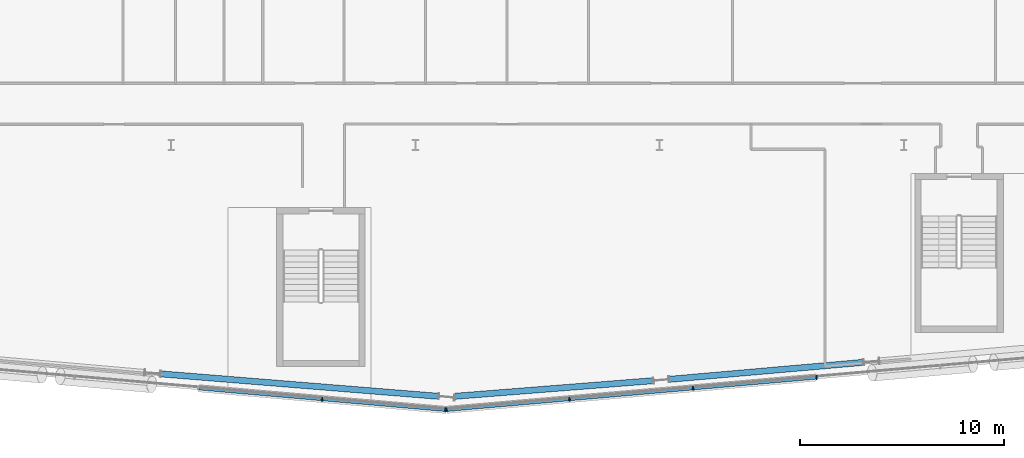
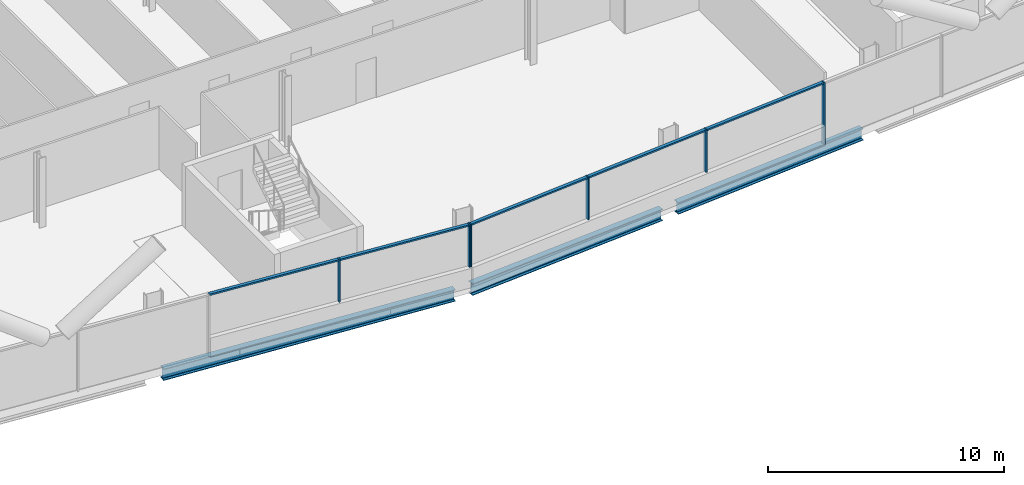
# One storey, part 7 of 27: 11 members, 3 beams, 2 elements without a shape of their own.
"""IFC4 building model written with IfcOpenShell, lengths in metres."""

from ifc_helpers import new_model, si_unit, direction, frame, origin, origin_2d, place, context, subcontext, project, spatial, rectangle, i_section, extrude, material, material_profile, profile_set, type_object, element, aggregate, save


model = new_model("IFC4")

# Units and contexts
model_context = context("Model", 3, precision=1e-05, world=origin(), true_north=direction((0.0, 1.0)))
body_context = subcontext(model_context, "Body", "Model", "MODEL_VIEW")
ifc_project = project(units=[si_unit("LENGTHUNIT", "METRE"), si_unit("AREAUNIT", "SQUARE_METRE"), si_unit("VOLUMEUNIT", "CUBIC_METRE"), si_unit("PLANEANGLEUNIT", "RADIAN"), si_unit("MASSUNIT", "GRAM", prefix="KILO")], contexts=[model_context])

# Site, building, storey
site_placement = place(None, origin())
site = spatial("IfcSite", under=ifc_project, at=site_placement, CompositionType="ELEMENT")
building_placement = place(site_placement, origin())
building = spatial("IfcBuilding", under=site, at=building_placement, Name="Wharfspan Tower", CompositionType="ELEMENT")
storey_placement = place(building_placement, frame((0.0, 0.0, 139.899902)))
storey = spatial("IfcBuildingStorey", under=building, at=storey_placement, Name="L33", CompositionType="ELEMENT", Elevation=139.899902)

# Beams
ifc_material_1 = material(Name="Steel S355J2", Category="steel")
ifc_material_profile_1 = material_profile(ifc_material_1, i_section(OverallWidth=0.300049, OverallDepth=0.600098, WebThickness=0.015381, FlangeThickness=0.030029, FilletRadius=0.0271, at=origin_2d()))
ifc_profile_set_1 = profile_set([ifc_material_profile_1], Name="Steel S355J2")
beam_type = type_object("IfcBeamType", Name="Edge beam HEB 600", PredefinedType="SPANDREL", material=ifc_profile_set_1)
beam_1_placement = place(storey_placement, frame((35.490967, 0.252197, -0.699951), z_axis=(0.996756, -0.080488, 0.0), x_axis=(0.080488, 0.996756, 0.0)))
element("IfcBeam", 1, at=beam_1_placement, inside=storey, type_object=beam_type, Name="Edge beam S1 L33 PS1.3 to PS1.4", PredefinedType="SPANDREL", context=body_context, shape_type="SweptSolid", body=[
    extrude(i_section(OverallWidth=0.300049, OverallDepth=0.600098, WebThickness=0.015381, FlangeThickness=0.030029, FilletRadius=0.0271, at=origin_2d()), origin(), (0.0, 0.0, 1.0), 13.683105),
])
beam_2_placement = place(storey_placement, frame((49.938721, -0.849365, -0.699951), z_axis=(0.996913, 0.078508, 0.0), x_axis=(-0.078508, 0.996913, 0.0)))
element("IfcBeam", 2, at=beam_2_placement, inside=storey, type_object=beam_type, Name="Edge beam S2 L33 PS1.4 to PS2.1", PredefinedType="SPANDREL", context=body_context, shape_type="SweptSolid", body=[
    extrude(i_section(OverallWidth=0.300049, OverallDepth=0.600098, WebThickness=0.015381, FlangeThickness=0.030029, FilletRadius=0.0271, at=origin_2d()), origin(), (0.0, 0.0, 1.0), 9.767578),
])
beam_3_placement = place(storey_placement, frame((60.479492, -0.015625, -0.699951), z_axis=(0.996194, 0.087164, 0.0), x_axis=(-0.087164, 0.996194, 0.0)))
element("IfcBeam", 3, at=beam_3_placement, inside=storey, type_object=beam_type, Name="Edge beam S2 L33 PS2.1 to PS2.2", PredefinedType="SPANDREL", context=body_context, shape_type="SweptSolid", body=[
    extrude(i_section(OverallWidth=0.300049, OverallDepth=0.600098, WebThickness=0.015381, FlangeThickness=0.030029, FilletRadius=0.0271, at=origin_2d()), origin(), (0.0, 0.0, 1.0), 9.55957),
])

# Curtain wall, members
ifc_material_2 = material(Name="Aluminium 6063-T6", Category="aluminium")
curtain_wall_type = type_object("IfcCurtainWallType", Name="CURTAIN WALL FACETED FRONT", PredefinedType="NOTDEFINED", material=ifc_material_2)
curtain_wall_1_placement = place(storey_placement, origin())
curtain_wall_1 = element("IfcCurtainWall", 4, at=curtain_wall_1_placement, inside=storey, type_object=curtain_wall_type, Name="Curtain wall S1", PredefinedType="NOTDEFINED")
ifc_material_profile_2 = material_profile(ifc_material_2, rectangle(XDim=0.199951, YDim=0.060059, at=origin_2d()))
ifc_profile_set_2 = profile_set([ifc_material_profile_2], Name="Aluminium 6063-T6")
member_type_1 = type_object("IfcMemberType", Name="MULLION FACETED FRONT 60x200", PredefinedType="MULLION", material=ifc_profile_set_2)
member_1_placement = place(storey_placement, frame((43.416748, -0.986084, 1.0), z_axis=(0.0, 0.0, 1.0), x_axis=(0.087156, 0.996198, 0.0)))
member_1 = element("IfcMember", 5, at=member_1_placement, type_object=member_type_1, Name="Curtain wall S1 mullion 6", PredefinedType="MULLION", context=body_context, shape_type="SweptSolid", body=[
    extrude(rectangle(XDim=0.199951, YDim=0.060059, at=origin_2d()), origin(), (0.0, 0.0, 1.0), 2.200195),
])
member_2_placement = place(storey_placement, frame((49.470215, -1.515625, 1.0), z_axis=(0.0, 0.0, 1.0), x_axis=(0.087156, 0.996198, 0.0)))
member_2 = element("IfcMember", 6, at=member_2_placement, type_object=member_type_1, Name="Curtain wall S1 mullion 7", PredefinedType="MULLION", context=body_context, shape_type="SweptSolid", body=[
    extrude(rectangle(XDim=0.199951, YDim=0.060059, at=origin_2d()), origin(), (0.0, 0.0, 1.0), 2.200195),
])

curtain_wall_2_placement = place(storey_placement, origin())
curtain_wall_2 = element("IfcCurtainWall", 7, at=curtain_wall_2_placement, inside=storey, type_object=curtain_wall_type, Name="Curtain wall S2", PredefinedType="NOTDEFINED")
member_3_placement = place(storey_placement, frame((49.529785, -1.515625, 1.0), z_axis=(0.0, 0.0, 1.0), x_axis=(-0.087156, 0.996198, 0.0)))
member_3 = element("IfcMember", 8, at=member_3_placement, type_object=member_type_1, Name="Curtain wall S2 mullion 1", PredefinedType="MULLION", context=body_context, shape_type="SweptSolid", body=[
    extrude(rectangle(XDim=0.199951, YDim=0.060059, at=origin_2d()), origin(), (0.0, 0.0, 1.0), 2.200195),
])
member_4_placement = place(storey_placement, frame((55.571533, -0.987061, 1.0), z_axis=(0.0, 0.0, 1.0), x_axis=(-0.087156, 0.996198, 0.0)))
member_4 = element("IfcMember", 9, at=member_4_placement, type_object=member_type_1, Name="Curtain wall S2 mullion 2", PredefinedType="MULLION", context=body_context, shape_type="SweptSolid", body=[
    extrude(rectangle(XDim=0.199951, YDim=0.060059, at=origin_2d()), origin(), (0.0, 0.0, 1.0), 2.200195),
])
member_5_placement = place(storey_placement, frame((61.642822, -0.455811, 1.0), z_axis=(0.0, 0.0, 1.0), x_axis=(-0.087156, 0.996198, 0.0)))
member_5 = element("IfcMember", 10, at=member_5_placement, type_object=member_type_1, Name="Curtain wall S2 mullion 3", PredefinedType="MULLION", context=body_context, shape_type="SweptSolid", body=[
    extrude(rectangle(XDim=0.199951, YDim=0.060059, at=origin_2d()), origin(), (0.0, 0.0, 1.0), 2.200195),
])
member_6_placement = place(storey_placement, frame((67.714355, 0.075195, 0.0), z_axis=(0.0, 0.0, 1.0), x_axis=(-0.087156, 0.996198, 0.0)))
member_6 = element("IfcMember", 11, at=member_6_placement, type_object=member_type_1, Name="Curtain wall S2 mullion 4", PredefinedType="MULLION", context=body_context, shape_type="SweptSolid", body=[
    extrude(rectangle(XDim=0.199951, YDim=0.060059, at=origin_2d()), origin(), (0.0, 0.0, 1.0), 3.200195),
])

# Member
ifc_material_profile_3 = material_profile(ifc_material_2, rectangle(XDim=0.159912, YDim=0.080078, at=origin_2d()))
ifc_profile_set_3 = profile_set([ifc_material_profile_3], Name="Aluminium 6063-T6")
member_type_2 = type_object("IfcMemberType", Name="TRANSOM FACETED FRONT 80x160", PredefinedType="USERDEFINED", material=ifc_profile_set_3)
member_7_placement = place(storey_placement, frame((37.363281, -0.456543, 3.160156), z_axis=(0.996197, -0.087135, 0.0), x_axis=(0.087135, 0.996197, 0.0)))
member_7 = element("IfcMember", 12, at=member_7_placement, type_object=member_type_2, Name="Curtain wall S1 transom 5", ObjectType="TRANSOM", PredefinedType="USERDEFINED", context=body_context, shape_type="SweptSolid", body=[
    extrude(rectangle(XDim=0.159912, YDim=0.080078, at=origin_2d()), origin(), (0.0, 0.0, 1.0), 6.046387),
])

member_8_placement = place(storey_placement, frame((43.446533, -0.98877, 3.160156), z_axis=(0.996198, -0.087122, 0.0), x_axis=(0.087122, 0.996198, 0.0)))
member_8 = element("IfcMember", 13, at=member_8_placement, type_object=member_type_2, Name="Curtain wall S1 transom 6", ObjectType="TRANSOM", PredefinedType="USERDEFINED", context=body_context, shape_type="SweptSolid", body=[
    extrude(rectangle(XDim=0.159912, YDim=0.080078, at=origin_2d()), origin(), (0.0, 0.0, 1.0), 6.016602),
])

aggregate(curtain_wall_1, [member_1, member_2, member_7, member_8])

member_9_placement = place(storey_placement, frame((49.559814, -1.512939, 3.160156), z_axis=(0.996197, 0.087133, 0.0), x_axis=(-0.087133, 0.996197, 0.0)))
member_9 = element("IfcMember", 14, at=member_9_placement, type_object=member_type_2, Name="Curtain wall S2 transom 1", ObjectType="TRANSOM", PredefinedType="USERDEFINED", context=body_context, shape_type="SweptSolid", body=[
    extrude(rectangle(XDim=0.159912, YDim=0.080078, at=origin_2d()), origin(), (0.0, 0.0, 1.0), 6.004639),
])

member_10_placement = place(storey_placement, frame((55.601318, -0.984375, 3.160156), z_axis=(0.996196, 0.087143, 0.0), x_axis=(-0.087143, 0.996196, 0.0)))
member_10 = element("IfcMember", 15, at=member_10_placement, type_object=member_type_2, Name="Curtain wall S2 transom 2", ObjectType="TRANSOM", PredefinedType="USERDEFINED", context=body_context, shape_type="SweptSolid", body=[
    extrude(rectangle(XDim=0.159912, YDim=0.080078, at=origin_2d()), origin(), (0.0, 0.0, 1.0), 6.034668),
])

member_11_placement = place(storey_placement, frame((61.672852, -0.453369, 3.160156), z_axis=(0.996192, 0.087187, 0.0), x_axis=(-0.087187, 0.996192, 0.0)))
member_11 = element("IfcMember", 16, at=member_11_placement, type_object=member_type_2, Name="Curtain wall S2 transom 3", ObjectType="TRANSOM", PredefinedType="USERDEFINED", context=body_context, shape_type="SweptSolid", body=[
    extrude(rectangle(XDim=0.159912, YDim=0.080078, at=origin_2d()), origin(), (0.0, 0.0, 1.0), 6.034424),
])

aggregate(curtain_wall_2, [member_3, member_4, member_5, member_6, member_9, member_10, member_11])

save(model, "model.ifc")
